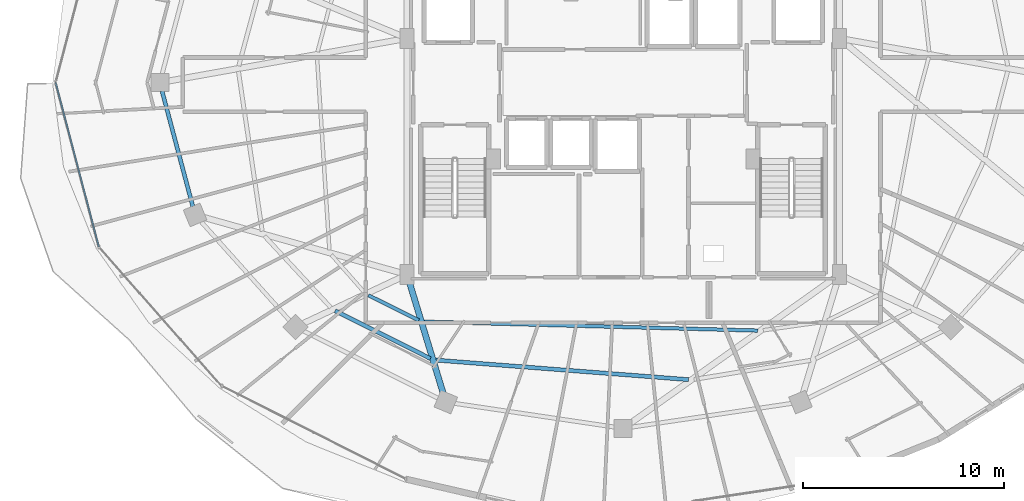
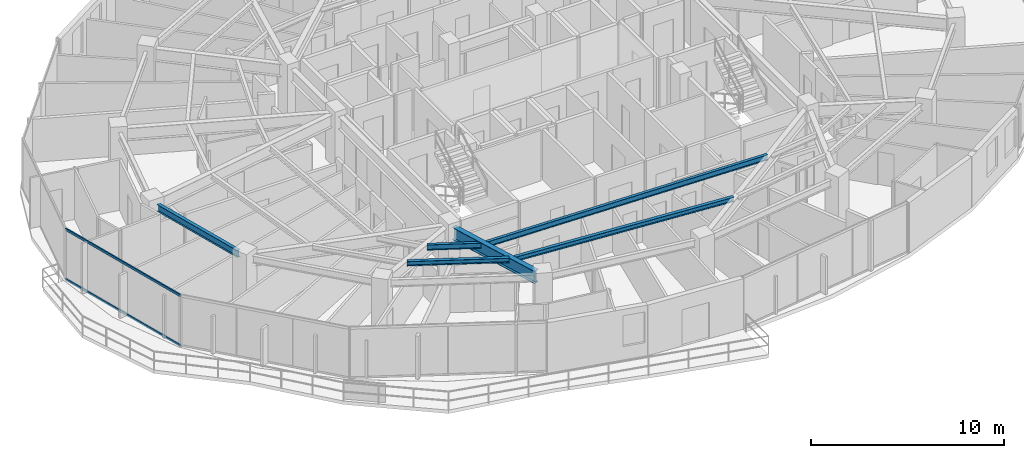
# One storey, part 6 of 33: 6 beams, 2 members, 1 element without a shape of its own.
"""IFC4 building model written with IfcOpenShell, lengths in metres."""

from ifc_helpers import new_model, si_unit, direction, frame, origin, origin_2d, place, context, subcontext, project, spatial, hollow_rectangle, i_section, extrude, material, material_profile, profile_set, type_object, element, aggregate, save


model = new_model("IFC4")

# Units and contexts
model_context = context("Model", 3, precision=1e-05, world=origin(), true_north=direction((0.0, 1.0)))
body_context = subcontext(model_context, "Body", "Model", "MODEL_VIEW")
ifc_project = project(units=[si_unit("LENGTHUNIT", "METRE"), si_unit("AREAUNIT", "SQUARE_METRE"), si_unit("VOLUMEUNIT", "CUBIC_METRE"), si_unit("PLANEANGLEUNIT", "RADIAN"), si_unit("MASSUNIT", "GRAM", prefix="KILO")], contexts=[model_context])

# Site, building, storey
site_placement = place(None, origin())
site = spatial("IfcSite", under=ifc_project, at=site_placement, CompositionType="ELEMENT")
building_placement = place(site_placement, origin())
building = spatial("IfcBuilding", under=site, at=building_placement, Name="Vorneva Point Tower", CompositionType="ELEMENT")
storey_placement = place(building_placement, frame((0.0, 0.0, 221.39990234375)))
storey = spatial("IfcBuildingStorey", under=building, at=storey_placement, Name="L60", CompositionType="ELEMENT", Elevation=221.39990234375)

# Beams
ifc_material_1 = material(Name="Steel S355", Category="steel")
ifc_material_profile_1 = material_profile(ifc_material_1, i_section(OverallWidth=0.300048828125, OverallDepth=0.7880859375, WebThickness=0.014404296875, FlangeThickness=0.02197265625, at=origin_2d()), Name="80Sh1")
ifc_profile_set_1 = profile_set([ifc_material_profile_1], Name="Steel S355")
beam_type_1 = type_object("IfcBeamType", Name="BM-GRD-80Sh1", PredefinedType="USERDEFINED", material=ifc_profile_set_1)
beam_1_placement = place(storey_placement, frame((29.051513671875, 10.5283203125, 2.80615234375), z_axis=(-0.291025429135, 0.956715317948, 0.0), x_axis=(-0.956715317948, -0.291025429135, 0.0)))
element("IfcBeam", 1, at=beam_1_placement, inside=storey, type_object=beam_type_1, Name="L60 Radial Primary Girder 12", ObjectType="GIRDER", PredefinedType="USERDEFINED", context=body_context, shape_type="SweptSolid", body=[
    extrude(i_section(OverallWidth=0.300048828125, OverallDepth=0.7880859375, WebThickness=0.014404296875, FlangeThickness=0.02197265625, at=origin_2d()), origin(), (0.0, 0.0, 1.0), 5.849609375),
])
ifc_material_profile_2 = material_profile(ifc_material_1, i_section(OverallWidth=0.199951171875, OverallDepth=0.291015625, WebThickness=0.008056640625, FlangeThickness=0.010986328125, at=origin_2d()), Name="30Sh1")
ifc_profile_set_2 = profile_set([ifc_material_profile_2], Name="Steel S355")
beam_type_2 = type_object("IfcBeamType", Name="BM-SEC-30Sh1", PredefinedType="BEAM", material=ifc_profile_set_2)
beam_2_placement = place(storey_placement, frame((23.67431640625, 14.646728515625, 3.0546875), z_axis=(0.893966574165, -0.448133645552, 0.0), x_axis=(0.448133645552, 0.893966574165, 0.0)))
element("IfcBeam", 2, at=beam_2_placement, inside=storey, type_object=beam_type_2, Name="L60 Secondary Floor Beam 1.11", PredefinedType="BEAM", context=body_context, shape_type="SweptSolid", body=[
    extrude(i_section(OverallWidth=0.199951171875, OverallDepth=0.291015625, WebThickness=0.008056640625, FlangeThickness=0.010986328125, at=origin_2d()), origin(), (0.0, 0.0, 1.0), 5.3056640625),
])
beam_3_placement = place(storey_placement, frame((28.678466796875, 12.196533203125, 3.0546875), z_axis=(0.997025265707, -0.077075414639, 0.0), x_axis=(0.077075414639, 0.997025265707, 0.0)))
element("IfcBeam", 3, at=beam_3_placement, inside=storey, type_object=beam_type_2, Name="L60 Secondary Floor Beam 1.12", PredefinedType="BEAM", context=body_context, shape_type="SweptSolid", body=[
    extrude(i_section(OverallWidth=0.199951171875, OverallDepth=0.291015625, WebThickness=0.008056640625, FlangeThickness=0.010986328125, at=origin_2d()), origin(), (0.0, 0.0, 1.0), 12.61328125),
])
ifc_material_profile_3 = material_profile(ifc_material_1, i_section(OverallWidth=0.174072265625, OverallDepth=0.345947265625, WebThickness=0.006103515625, FlangeThickness=0.009033203125, at=origin_2d()), Name="35B1")
ifc_profile_set_3 = profile_set([ifc_material_profile_3], Name="Steel S355")
beam_type_3 = type_object("IfcBeamType", Name="BM-SEC-35B1", PredefinedType="BEAM", material=ifc_profile_set_3)
beam_4_placement = place(storey_placement, frame((25.32177734375, 15.422607421875, 3.027099609375), z_axis=(0.895432586212, -0.445197128865, 0.0), x_axis=(0.445197128865, 0.895432586212, 0.0)))
element("IfcBeam", 4, at=beam_4_placement, inside=storey, type_object=beam_type_3, Name="L60 Secondary Floor Beam 2.11", PredefinedType="BEAM", context=body_context, shape_type="SweptSolid", body=[
    extrude(i_section(OverallWidth=0.174072265625, OverallDepth=0.345947265625, WebThickness=0.006103515625, FlangeThickness=0.009033203125, at=origin_2d()), origin(), (0.0, 0.0, 1.0), 2.810546875),
])
beam_5_placement = place(storey_placement, frame((28.099853515625, 14.106201171875, 3.027099609375), z_axis=(0.999646768073, -0.026577040474, 0.0), x_axis=(0.026577040474, 0.999646768073, 0.0)))
element("IfcBeam", 5, at=beam_5_placement, inside=storey, type_object=beam_type_3, Name="L60 Secondary Floor Beam 2.12", PredefinedType="BEAM", context=body_context, shape_type="SweptSolid", body=[
    extrude(i_section(OverallWidth=0.174072265625, OverallDepth=0.345947265625, WebThickness=0.006103515625, FlangeThickness=0.009033203125, at=origin_2d()), origin(), (0.0, 0.0, 1.0), 16.599365234375),
])
ifc_material_profile_4 = material_profile(ifc_material_1, i_section(OverallWidth=0.198974609375, OverallDepth=0.446044921875, WebThickness=0.008056640625, FlangeThickness=0.011962890625, at=origin_2d()), Name="45B1")
ifc_profile_set_4 = profile_set([ifc_material_profile_4], Name="Steel S355")
beam_type_4 = type_object("IfcBeamType", Name="BM-SPN-45B1", PredefinedType="SPANDREL", material=ifc_profile_set_4)
beam_6_placement = place(storey_placement, frame((15.06201171875, 25.57958984375, 2.97705078125), z_axis=(0.257578258003, -0.966257440336, 0.0), x_axis=(0.966257440336, 0.257578258003, 0.0)))
element("IfcBeam", 6, at=beam_6_placement, inside=storey, type_object=beam_type_4, Name="L60 Perimeter Spandrel Ring Beam 09", PredefinedType="SPANDREL", context=body_context, shape_type="SweptSolid", body=[
    extrude(i_section(OverallWidth=0.198974609375, OverallDepth=0.446044921875, WebThickness=0.008056640625, FlangeThickness=0.011962890625, at=origin_2d()), origin(), (0.0, 0.0, 1.0), 5.94189453125),
])

# Curtain wall, members
ifc_material_2 = material(Name="Pale anodised aluminium", Category="aluminium")
curtain_wall_type = type_object("IfcCurtainWallType", Name="CW-RES-SYS", PredefinedType="NOTDEFINED", material=ifc_material_2)
curtain_wall_placement = place(storey_placement, origin())
curtain_wall = element("IfcCurtainWall", 7, at=curtain_wall_placement, inside=storey, type_object=curtain_wall_type, Name="L60 Unitised Curtain Wall CW-L60-R02", PredefinedType="NOTDEFINED")
ifc_material_profile_5 = material_profile(ifc_material_2, hollow_rectangle(XDim=0.074951171875, YDim=0.14990234375, WallThickness=0.00390625, at=origin_2d()), Name="AL-TRN 150x75x4")
ifc_profile_set_5 = profile_set([ifc_material_profile_5], Name="Pale anodised aluminium")
member_type = type_object("IfcMemberType", Name="CW-TRN-150", PredefinedType="USERDEFINED", material=ifc_profile_set_5)
member_1_placement = place(storey_placement, frame((9.77001953125, 26.0, 0.02001953125), z_axis=(0.254362431281, -0.967108966742, 0.0), x_axis=(0.967108966742, 0.254362431281, 0.0)))
member_1 = element("IfcMember", 8, at=member_1_placement, type_object=member_type, Name="CW-L60-R02 Transom 03.1", ObjectType="TRANSOM", PredefinedType="USERDEFINED", context=body_context, shape_type="SweptSolid", body=[
    extrude(hollow_rectangle(XDim=0.074951171875, YDim=0.14990234375, WallThickness=0.00390625, at=origin_2d()), origin(), (0.0, 0.0, 1.0), 8.4482421875),
])
member_2_placement = place(storey_placement, frame((9.77001953125, 26.0, 3.18017578125), z_axis=(0.254362431281, -0.967108966742, 0.0), x_axis=(0.967108966742, 0.254362431281, 0.0)))
member_2 = element("IfcMember", 9, at=member_2_placement, type_object=member_type, Name="CW-L60-R02 Transom 03.2", ObjectType="TRANSOM", PredefinedType="USERDEFINED", context=body_context, shape_type="SweptSolid", body=[
    extrude(hollow_rectangle(XDim=0.074951171875, YDim=0.14990234375, WallThickness=0.00390625, at=origin_2d()), origin(), (0.0, 0.0, 1.0), 8.4482421875),
])
aggregate(curtain_wall, [member_1, member_2])

save(model, "model.ifc")
